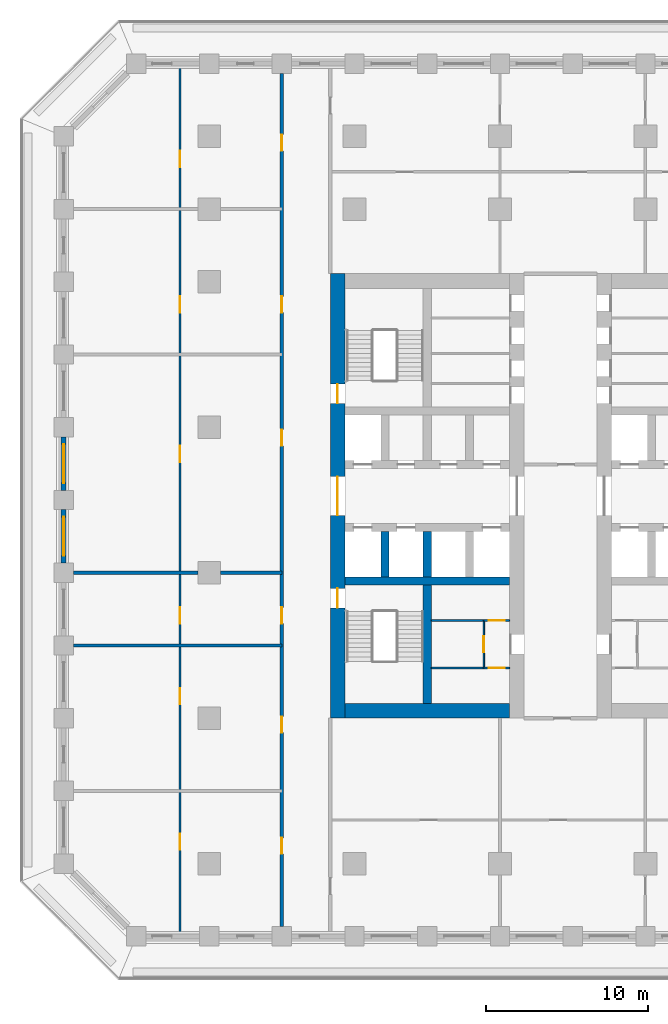
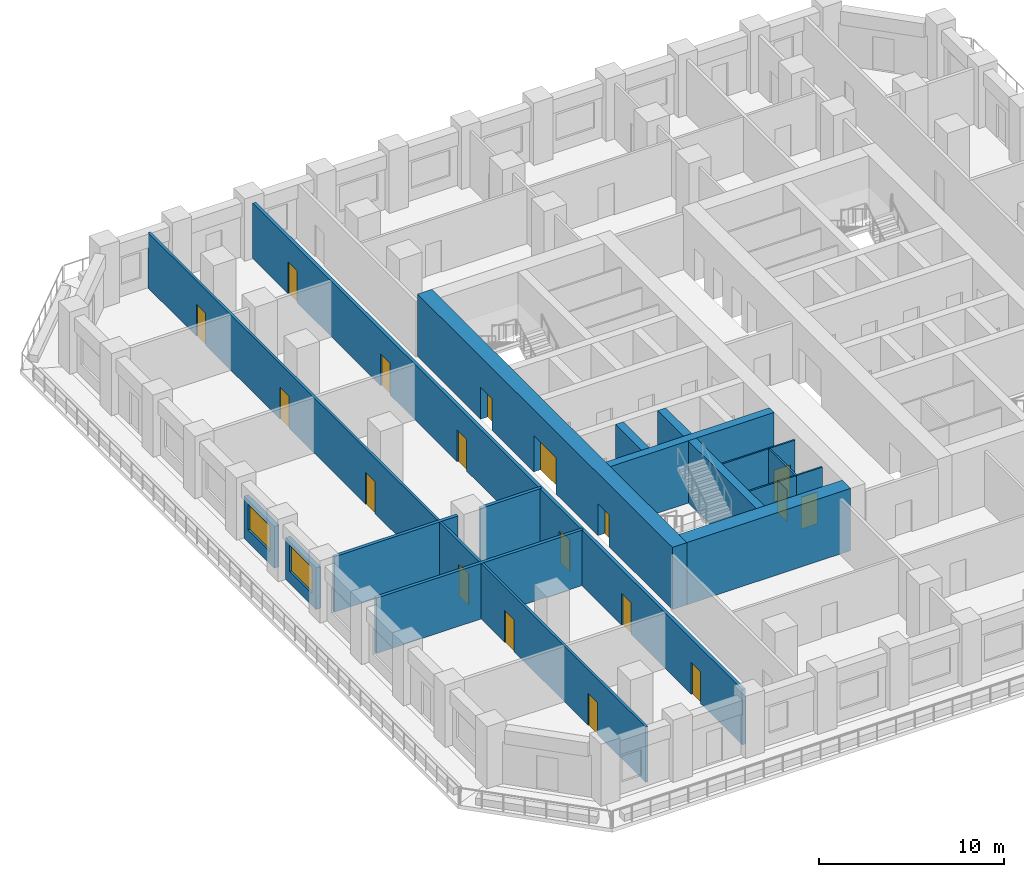
# One storey, part 3 of 16: 18 doors, 18 walls, 2 windows, 20 openings.
"""IFC4 building model written with IfcOpenShell, lengths in metres."""

from ifc_helpers import new_model, si_unit, direction, frame, frame_2d, origin, place, context, subcontext, project, spatial, rectangle, extrude, material, layer, layer_set, type_object, element, fill, save


model = new_model("IFC4")

# Units and contexts
model_context = context("Model", 3, precision=1e-05, world=origin(), true_north=direction((0.0, 1.0)))
body_context = subcontext(model_context, "Body", "Model", "MODEL_VIEW")
ifc_project = project(units=[si_unit("LENGTHUNIT", "METRE"), si_unit("AREAUNIT", "SQUARE_METRE"), si_unit("VOLUMEUNIT", "CUBIC_METRE"), si_unit("PLANEANGLEUNIT", "RADIAN"), si_unit("MASSUNIT", "GRAM", prefix="KILO")], contexts=[model_context])

# Site, building, storey
site_placement = place(None, origin())
site = spatial("IfcSite", under=ifc_project, at=site_placement, CompositionType="ELEMENT")
building_placement = place(site_placement, origin())
building = spatial("IfcBuilding", under=site, at=building_placement, Name="Corbel Stack Research Tower", CompositionType="ELEMENT")
storey_placement = place(building_placement, frame((0.0, 0.0, 120.800048828125)))
storey = spatial("IfcBuildingStorey", under=building, at=storey_placement, Name="L27", CompositionType="ELEMENT", Elevation=120.800048828125)

# Walls
ifc_material_1 = material(Name="Concrete C70/85", Category="concrete")
ifc_layer_1 = layer(ifc_material_1, 0.5)
ifc_layer_set_1 = layer_set([ifc_layer_1], Name="Concrete C70/85")
wall_type_1 = type_object("IfcWallType", Name="CW-500-70", PredefinedType="SHEAR", material=ifc_layer_set_1)
wall_1_placement = place(storey_placement, frame((-9.60009765625, -0.5, 0.0), z_axis=(0.0, 0.0, 1.0), x_axis=(1.0, 0.0, 0.0)))
element("IfcWall", 1, at=wall_1_placement, inside=storey, type_object=wall_type_1, Name="West core wall, south row back L27", PredefinedType="SHEAR", context=body_context, shape_type="SweptSolid", body=[
    extrude(rectangle(XDim=10.2001953125, YDim=0.5, at=frame_2d((5.10009765625, 0.0))), origin(), (0.0, 0.0, 1.0), 4.099853515625),
])
for number, where, z_axis, x_axis, name in (
    (2, (-7.125, -0.25, 0.0), (0.0, 0.0, 1.0), (0.0, 1.0, 0.0), "West core wall, south shaft 1 L27"),
    (3, (-4.5, -0.25, 0.0), (0.0, 0.0, 1.0), (0.0, 1.0, 0.0), "West core wall, south shaft 2 L27"),
):
    element("IfcWall", number, at=place(storey_placement, frame(where, z_axis=z_axis, x_axis=x_axis)), inside=storey, type_object=wall_type_1, Name=name, PredefinedType="SHEAR", context=body_context, shape_type="SweptSolid", body=[
        extrude(rectangle(XDim=2.800048828125, YDim=0.5, at=frame_2d((1.39990234375, 0.0))), origin(), (0.0, 0.0, 1.0), 4.099853515625),
    ])
wall_2_placement = place(storey_placement, frame((-4.5, -8.10009765625, 0.0), z_axis=(0.0, 0.0, 1.0), x_axis=(0.0, 1.0, 0.0)))
element("IfcWall", 4, at=wall_2_placement, inside=storey, type_object=wall_type_1, Name="West core wall, south stair and WC L27", PredefinedType="SHEAR", context=body_context, shape_type="SweptSolid", body=[
    extrude(rectangle(XDim=7.35009765625, YDim=0.5, at=frame_2d((3.675048828125, 0.0))), origin(), (0.0, 0.0, 1.0), 4.099853515625),
])

# Wall, openings, doors
ifc_material_2 = material(Name="Concrete C70/85", Category="concrete")
ifc_layer_2 = layer(ifc_material_2, 0.89990234375)
ifc_layer_set_2 = layer_set([ifc_layer_2], Name="Concrete C70/85")
wall_type_2 = type_object("IfcWallType", Name="CW-900-70", PredefinedType="SHEAR", material=ifc_layer_set_2)
wall_3_placement = place(storey_placement, frame((-10.050048828125, -9.0, 0.0), z_axis=(0.0, 0.0, 1.0), x_axis=(0.0, 1.0, 0.0)))
wall_3 = element("IfcWall", 5, at=wall_3_placement, inside=storey, type_object=wall_type_2, Name="West core wall, west face L27", PredefinedType="SHEAR", context=body_context, shape_type="SweptSolid", body=[
    extrude(rectangle(XDim=27.5, YDim=0.89990234375, at=frame_2d((13.75, 0.0))), origin(), (0.0, 0.0, 1.0), 4.099853515625),
])
opening_1_placement = place(wall_3_placement, frame((12.550048828125, 0.0, 0.0)))
opening_1 = element("IfcOpeningElement", 6, at=opening_1_placement, cuts=wall_3, Name="Opening CD-W-W", PredefinedType="OPENING", context=body_context, shape_type="SweptSolid", body=[
    extrude(rectangle(XDim=2.39990234375, YDim=2.39990234375, at=frame_2d((1.199951171875, 1.199951171875))), frame((0.0, 0.4599609375, 0.0), z_axis=(0.0, -1.0, 0.0), x_axis=(1.0, 0.0, 0.0)), (0.0, 0.0, 1.0), 0.919921875),
])
opening_2_placement = place(wall_3_placement, frame((6.824951171875, 0.0, 0.0)))
opening_2 = element("IfcOpeningElement", 7, at=opening_2_placement, cuts=wall_3, Name="Opening SD-ST-W1", PredefinedType="OPENING", context=body_context, shape_type="SweptSolid", body=[
    extrude(rectangle(XDim=1.199951171875, YDim=2.10009765625, at=frame_2d((0.60009765625, 1.050048828125))), frame((0.0, 0.4599609375, 0.0), z_axis=(0.0, -1.0, 0.0), x_axis=(1.0, 0.0, 0.0)), (0.0, 0.0, 1.0), 0.919921875),
])
opening_3_placement = place(wall_3_placement, frame((19.47509765625, 0.0, 0.0)))
opening_3 = element("IfcOpeningElement", 8, at=opening_3_placement, cuts=wall_3, Name="Opening SD-ST-W2", PredefinedType="OPENING", context=body_context, shape_type="SweptSolid", body=[
    extrude(rectangle(XDim=1.199951171875, YDim=2.10009765625, at=frame_2d((0.60009765625, 1.050048828125))), frame((0.0, 0.4599609375, 0.0), z_axis=(0.0, -1.0, 0.0), x_axis=(1.0, 0.0, 0.0)), (0.0, 0.0, 1.0), 0.919921875),
])
ifc_material_3 = material(Name="Painted steel fire door", Category="steel")
door_type_1 = type_object("IfcDoorType", Name="Lobby door pair 2400 x 2400 FD30S", OperationType="DOUBLE_DOOR_DOUBLE_SWING", PredefinedType="DOOR", material=ifc_material_3)
door_1_placement = place(opening_1_placement, origin())
door_1 = element("IfcDoor", 9, at=door_1_placement, inside=storey, type_object=door_type_1, Name="Lift lobby door W core W", OperationType="DOUBLE_DOOR_DOUBLE_SWING", OverallHeight=2.39990234375, OverallWidth=2.39990234375, PredefinedType="DOOR", context=body_context, shape_type="SweptSolid", body=[
    extrude(rectangle(XDim=2.39990234375, YDim=2.39990234375, at=frame_2d((1.199951171875, 1.199951171875))), frame((0.0, 0.02490234375, 0.0), z_axis=(0.0, -1.0, 0.0), x_axis=(1.0, 0.0, 0.0)), (0.0, 0.0, 1.0), 0.050048828125),
])
fill(opening_1, door_1)
ifc_material_4 = material(Name="Painted steel fire door", Category="steel")
door_type_2 = type_object("IfcDoorType", Name="Stair door 1200 x 2100 FD90 left hand", OperationType="SINGLE_SWING_LEFT", PredefinedType="DOOR", material=ifc_material_4)
door_2_placement = place(opening_2_placement, origin())
door_2 = element("IfcDoor", 10, at=door_2_placement, inside=storey, type_object=door_type_2, Name="Stair door ST-W1", OperationType="SINGLE_SWING_LEFT", OverallHeight=2.10009765625, OverallWidth=1.199951171875, PredefinedType="DOOR", context=body_context, shape_type="SweptSolid", body=[
    extrude(rectangle(XDim=1.199951171875, YDim=2.10009765625, at=frame_2d((0.60009765625, 1.050048828125))), frame((0.0, 0.02490234375, 0.0), z_axis=(0.0, -1.0, 0.0), x_axis=(1.0, 0.0, 0.0)), (0.0, 0.0, 1.0), 0.050048828125),
])
fill(opening_2, door_2)
door_3_placement = place(opening_3_placement, origin())
door_3 = element("IfcDoor", 11, at=door_3_placement, inside=storey, type_object=door_type_2, Name="Stair door ST-W2", OperationType="SINGLE_SWING_LEFT", OverallHeight=2.10009765625, OverallWidth=1.199951171875, PredefinedType="DOOR", context=body_context, shape_type="SweptSolid", body=[
    extrude(rectangle(XDim=1.199951171875, YDim=2.10009765625, at=frame_2d((0.60009765625, 1.050048828125))), frame((0.0, 0.02490234375, 0.0), z_axis=(0.0, -1.0, 0.0), x_axis=(1.0, 0.0, 0.0)), (0.0, 0.0, 1.0), 0.050048828125),
])
fill(opening_3, door_3)

# Wall
wall_4_placement = place(storey_placement, frame((-9.60009765625, -8.550048828125, 0.0), z_axis=(0.0, 0.0, 1.0), x_axis=(1.0, 0.0, 0.0)))
element("IfcWall", 12, at=wall_4_placement, inside=storey, type_object=wall_type_2, Name="West core wall, south end L27", PredefinedType="SHEAR", context=body_context, shape_type="SweptSolid", body=[
    extrude(rectangle(XDim=10.2001953125, YDim=0.89990234375, at=frame_2d((5.10009765625, 0.0))), origin(), (0.0, 0.0, 1.0), 4.099853515625),
])

# Wall, opening, door
ifc_material_5 = material(Name="Gypsum board")
ifc_layer_3 = layer(ifc_material_5, 0.10009765625)
ifc_layer_set_3 = layer_set([ifc_layer_3], Name="Gypsum board")
wall_type_3 = type_object("IfcWallType", Name="Core partition 100", PredefinedType="PARTITIONING", material=ifc_layer_set_3)
wall_5_placement = place(storey_placement, frame((-1.0, -5.89501953125, 0.0), z_axis=(0.0, 0.0, 1.0), x_axis=(1.0, 0.0, 0.0)))
wall_5 = element("IfcWall", 13, at=wall_5_placement, inside=storey, type_object=wall_type_3, Name="Core partition W", PredefinedType="PARTITIONING", context=body_context, shape_type="SweptSolid", body=[
    extrude(rectangle(XDim=1.60009765625, YDim=0.10009765625, at=frame_2d((0.800048828125, 0.0))), origin(), (0.0, 0.0, 1.0), 3.64990234375),
])
opening_4_placement = place(wall_5_placement, frame((0.300048828125, 0.0, 0.0)))
opening_4 = element("IfcOpeningElement", 14, at=opening_4_placement, cuts=wall_5, Name="Opening CR-W36-W2-1000", PredefinedType="OPENING", context=body_context, shape_type="SweptSolid", body=[
    extrude(rectangle(XDim=1.0, YDim=2.10009765625, at=frame_2d((0.5, 1.050048828125))), frame((0.0, 0.06005859375, 0.0), z_axis=(0.0, -1.0, 0.0), x_axis=(1.0, 0.0, 0.0)), (0.0, 0.0, 1.0), 0.1201171875),
])
ifc_material_6 = material(Name="Painted timber door", Category="wood")
door_type_3 = type_object("IfcDoorType", Name="WC door 1000 x 2100 right hand", OperationType="SINGLE_SWING_RIGHT", PredefinedType="DOOR", material=ifc_material_6)
door_4_placement = place(opening_4_placement, origin())
door_4 = element("IfcDoor", 15, at=door_4_placement, inside=storey, type_object=door_type_3, Name="Men's WC door W core", OperationType="SINGLE_SWING_RIGHT", OverallHeight=2.10009765625, OverallWidth=1.0, PredefinedType="DOOR", context=body_context, shape_type="SweptSolid", body=[
    extrude(rectangle(XDim=1.0, YDim=2.10009765625, at=frame_2d((0.5, 1.050048828125))), frame((0.0, 0.02490234375, 0.0), z_axis=(0.0, -1.0, 0.0), x_axis=(1.0, 0.0, 0.0)), (0.0, 0.0, 1.0), 0.050048828125),
])
fill(opening_4, door_4)

wall_6_placement = place(storey_placement, frame((-1.0, -2.955078125, 0.0), z_axis=(0.0, 0.0, 1.0), x_axis=(1.0, 0.0, 0.0)))
wall_6 = element("IfcWall", 16, at=wall_6_placement, inside=storey, type_object=wall_type_3, Name="Core partition W", PredefinedType="PARTITIONING", context=body_context, shape_type="SweptSolid", body=[
    extrude(rectangle(XDim=1.60009765625, YDim=0.10009765625, at=frame_2d((0.800048828125, 0.0))), origin(), (0.0, 0.0, 1.0), 3.64990234375),
])
opening_5_placement = place(wall_6_placement, frame((0.300048828125, 0.0, 0.0)))
opening_5 = element("IfcOpeningElement", 17, at=opening_5_placement, cuts=wall_6, Name="Opening CR-W36-W3-1000", PredefinedType="OPENING", context=body_context, shape_type="SweptSolid", body=[
    extrude(rectangle(XDim=1.0, YDim=2.10009765625, at=frame_2d((0.5, 1.050048828125))), frame((0.0, 0.06005859375, 0.0), z_axis=(0.0, -1.0, 0.0), x_axis=(1.0, 0.0, 0.0)), (0.0, 0.0, 1.0), 0.1201171875),
])
ifc_material_7 = material(Name="Painted timber door", Category="wood")
door_type_4 = type_object("IfcDoorType", Name="WC door 1000 x 2100 left hand", OperationType="SINGLE_SWING_LEFT", PredefinedType="DOOR", material=ifc_material_7)
door_5_placement = place(opening_5_placement, origin())
door_5 = element("IfcDoor", 18, at=door_5_placement, inside=storey, type_object=door_type_4, Name="Women's WC door W core", OperationType="SINGLE_SWING_LEFT", OverallHeight=2.10009765625, OverallWidth=1.0, PredefinedType="DOOR", context=body_context, shape_type="SweptSolid", body=[
    extrude(rectangle(XDim=1.0, YDim=2.10009765625, at=frame_2d((0.5, 1.050048828125))), frame((0.0, 0.02490234375, 0.0), z_axis=(0.0, -1.0, 0.0), x_axis=(1.0, 0.0, 0.0)), (0.0, 0.0, 1.0), 0.050048828125),
])
fill(opening_5, door_5)

wall_7_placement = place(storey_placement, frame((-1.0, -5.89501953125, 0.0), z_axis=(0.0, 0.0, 1.0), x_axis=(0.0, 1.0, 0.0)))
wall_7 = element("IfcWall", 19, at=wall_7_placement, inside=storey, type_object=wall_type_3, Name="Core partition W", PredefinedType="PARTITIONING", context=body_context, shape_type="SweptSolid", body=[
    extrude(rectangle(XDim=2.93994140625, YDim=0.10009765625, at=frame_2d((1.469970703125, 0.0))), origin(), (0.0, 0.0, 1.0), 3.64990234375),
])
opening_6_placement = place(wall_7_placement, frame((0.969970703125, 0.0, 0.0)))
opening_6 = element("IfcOpeningElement", 20, at=opening_6_placement, cuts=wall_7, Name="Opening CR-W36-W4-1000", PredefinedType="OPENING", context=body_context, shape_type="SweptSolid", body=[
    extrude(rectangle(XDim=1.0, YDim=2.10009765625, at=frame_2d((0.5, 1.050048828125))), frame((0.0, 0.06005859375, 0.0), z_axis=(0.0, -1.0, 0.0), x_axis=(1.0, 0.0, 0.0)), (0.0, 0.0, 1.0), 0.1201171875),
])
door_6_placement = place(opening_6_placement, origin())
door_6 = element("IfcDoor", 21, at=door_6_placement, inside=storey, type_object=door_type_3, Name="Accessible WC door W core", OperationType="SINGLE_SWING_RIGHT", OverallHeight=2.10009765625, OverallWidth=1.0, PredefinedType="DOOR", context=body_context, shape_type="SweptSolid", body=[
    extrude(rectangle(XDim=1.0, YDim=2.10009765625, at=frame_2d((0.5, 1.050048828125))), frame((0.0, 0.02490234375, 0.0), z_axis=(0.0, -1.0, 0.0), x_axis=(1.0, 0.0, 0.0)), (0.0, 0.0, 1.0), 0.050048828125),
])
fill(opening_6, door_6)

# Walls
for number, where, z_axis, x_axis, name in (
    (22, (-4.25, -5.89501953125, 0.0), (0.0, 0.0, 1.0), (1.0, 0.0, 0.0), "Core partition W"),
    (23, (-4.25, -2.955078125, 0.0), (0.0, 0.0, 1.0), (1.0, 0.0, 0.0), "Core partition W"),
):
    element("IfcWall", number, at=place(storey_placement, frame(where, z_axis=z_axis, x_axis=x_axis)), inside=storey, type_object=wall_type_3, Name=name, PredefinedType="PARTITIONING", context=body_context, shape_type="SweptSolid", body=[
        extrude(rectangle(XDim=3.25, YDim=0.10009765625, at=frame_2d((1.625, 0.0))), origin(), (0.0, 0.0, 1.0), 3.64990234375),
    ])

# Wall, openings, doors
ifc_material_8 = material(Name="Fire-rated gypsum board partition on steel studs", Category="steel")
ifc_layer_4 = layer(ifc_material_8, 0.199951171875)
ifc_layer_set_4 = layer_set([ifc_layer_4], Name="Fire-rated gypsum board partition on steel studs")
wall_type_4 = type_object("IfcWallType", Name="Fire-rated partition 200 EI 60", PredefinedType="PARTITIONING", material=ifc_layer_set_4)
wall_8_placement = place(storey_placement, frame((-13.5, -21.89990234375, 0.0), z_axis=(0.0, 0.0, 1.0), x_axis=(0.0, 1.0, 0.0)))
wall_8 = element("IfcWall", 24, at=wall_8_placement, inside=storey, type_object=wall_type_4, Name="Partition L27-002", PredefinedType="PARTITIONING", context=body_context, shape_type="SweptSolid", body=[
    extrude(rectangle(XDim=52.7998046875, YDim=0.199951171875, at=frame_2d((26.39990234375, 0.0))), origin(), (0.0, 0.0, 1.0), 3.64990234375),
])
opening_7_placement = place(wall_8_placement, frame((4.5, 0.0, 0.0)))
opening_7 = element("IfcOpeningElement", 25, at=opening_7_placement, cuts=wall_8, Name="Opening B4V0-011", PredefinedType="OPENING", context=body_context, shape_type="SweptSolid", body=[
    extrude(rectangle(XDim=1.0, YDim=2.10009765625, at=frame_2d((0.5, 1.050048828125))), frame((0.0, 0.10986328125, 0.0), z_axis=(0.0, -1.0, 0.0), x_axis=(1.0, 0.0, 0.0)), (0.0, 0.0, 1.0), 0.219970703125),
])
opening_8_placement = place(wall_8_placement, frame((12.0, 0.0, 0.0)))
opening_8 = element("IfcOpeningElement", 26, at=opening_8_placement, cuts=wall_8, Name="Opening B4V0-012", PredefinedType="OPENING", context=body_context, shape_type="SweptSolid", body=[
    extrude(rectangle(XDim=1.0, YDim=2.10009765625, at=frame_2d((0.5, 1.050048828125))), frame((0.0, 0.10986328125, 0.0), z_axis=(0.0, -1.0, 0.0), x_axis=(1.0, 0.0, 0.0)), (0.0, 0.0, 1.0), 0.219970703125),
])
opening_9_placement = place(wall_8_placement, frame((18.75, 0.0, 0.0)))
opening_9 = element("IfcOpeningElement", 27, at=opening_9_placement, cuts=wall_8, Name="Opening B4V0-013", PredefinedType="OPENING", context=body_context, shape_type="SweptSolid", body=[
    extrude(rectangle(XDim=1.0, YDim=2.10009765625, at=frame_2d((0.5, 1.050048828125))), frame((0.0, 0.10986328125, 0.0), z_axis=(0.0, -1.0, 0.0), x_axis=(1.0, 0.0, 0.0)), (0.0, 0.0, 1.0), 0.219970703125),
])
opening_10_placement = place(wall_8_placement, frame((29.75, 0.0, 0.0)))
opening_10 = element("IfcOpeningElement", 28, at=opening_10_placement, cuts=wall_8, Name="Opening B4V0-014", PredefinedType="OPENING", context=body_context, shape_type="SweptSolid", body=[
    extrude(rectangle(XDim=1.0, YDim=2.10009765625, at=frame_2d((0.5, 1.050048828125))), frame((0.0, 0.10986328125, 0.0), z_axis=(0.0, -1.0, 0.0), x_axis=(1.0, 0.0, 0.0)), (0.0, 0.0, 1.0), 0.219970703125),
])
opening_11_placement = place(wall_8_placement, frame((38.0, 0.0, 0.0)))
opening_11 = element("IfcOpeningElement", 29, at=opening_11_placement, cuts=wall_8, Name="Opening B4V0-015", PredefinedType="OPENING", context=body_context, shape_type="SweptSolid", body=[
    extrude(rectangle(XDim=1.0, YDim=2.10009765625, at=frame_2d((0.5, 1.050048828125))), frame((0.0, 0.10986328125, 0.0), z_axis=(0.0, -1.0, 0.0), x_axis=(1.0, 0.0, 0.0)), (0.0, 0.0, 1.0), 0.219970703125),
])
opening_12_placement = place(wall_8_placement, frame((48.0, 0.0, 0.0)))
opening_12 = element("IfcOpeningElement", 30, at=opening_12_placement, cuts=wall_8, Name="Opening B4V0-016", PredefinedType="OPENING", context=body_context, shape_type="SweptSolid", body=[
    extrude(rectangle(XDim=1.0, YDim=2.10009765625, at=frame_2d((0.5, 1.050048828125))), frame((0.0, 0.10986328125, 0.0), z_axis=(0.0, -1.0, 0.0), x_axis=(1.0, 0.0, 0.0)), (0.0, 0.0, 1.0), 0.219970703125),
])
ifc_material_9 = material(Name="Painted steel fire door", Category="steel")
door_type_5 = type_object("IfcDoorType", Name="Fire door FD30S 1000 x 2100", OperationType="NOTDEFINED", PredefinedType="DOOR", material=ifc_material_9)
door_7_placement = place(opening_7_placement, origin())
door_7 = element("IfcDoor", 31, at=door_7_placement, inside=storey, type_object=door_type_5, Name="Door B4V0-011", OperationType="SINGLE_SWING_LEFT", OverallHeight=2.10009765625, OverallWidth=1.0, PredefinedType="DOOR", context=body_context, shape_type="SweptSolid", body=[
    extrude(rectangle(XDim=1.0, YDim=2.10009765625, at=frame_2d((0.5, 1.050048828125))), frame((0.0, 0.02490234375, 0.0), z_axis=(0.0, -1.0, 0.0), x_axis=(1.0, 0.0, 0.0)), (0.0, 0.0, 1.0), 0.050048828125),
])
fill(opening_7, door_7)
door_8_placement = place(opening_8_placement, origin())
door_8 = element("IfcDoor", 32, at=door_8_placement, inside=storey, type_object=door_type_5, Name="Door B4V0-012", OperationType="SINGLE_SWING_LEFT", OverallHeight=2.10009765625, OverallWidth=1.0, PredefinedType="DOOR", context=body_context, shape_type="SweptSolid", body=[
    extrude(rectangle(XDim=1.0, YDim=2.10009765625, at=frame_2d((0.5, 1.050048828125))), frame((0.0, 0.02490234375, 0.0), z_axis=(0.0, -1.0, 0.0), x_axis=(1.0, 0.0, 0.0)), (0.0, 0.0, 1.0), 0.050048828125),
])
fill(opening_8, door_8)
door_9_placement = place(opening_9_placement, origin())
door_9 = element("IfcDoor", 33, at=door_9_placement, inside=storey, type_object=door_type_5, Name="Door B4V0-013", OperationType="SINGLE_SWING_LEFT", OverallHeight=2.10009765625, OverallWidth=1.0, PredefinedType="DOOR", context=body_context, shape_type="SweptSolid", body=[
    extrude(rectangle(XDim=1.0, YDim=2.10009765625, at=frame_2d((0.5, 1.050048828125))), frame((0.0, 0.02490234375, 0.0), z_axis=(0.0, -1.0, 0.0), x_axis=(1.0, 0.0, 0.0)), (0.0, 0.0, 1.0), 0.050048828125),
])
fill(opening_9, door_9)
door_10_placement = place(opening_10_placement, origin())
door_10 = element("IfcDoor", 34, at=door_10_placement, inside=storey, type_object=door_type_5, Name="Door B4V0-014", OperationType="SINGLE_SWING_RIGHT", OverallHeight=2.10009765625, OverallWidth=1.0, PredefinedType="DOOR", context=body_context, shape_type="SweptSolid", body=[
    extrude(rectangle(XDim=1.0, YDim=2.10009765625, at=frame_2d((0.5, 1.050048828125))), frame((0.0, 0.02490234375, 0.0), z_axis=(0.0, -1.0, 0.0), x_axis=(1.0, 0.0, 0.0)), (0.0, 0.0, 1.0), 0.050048828125),
])
fill(opening_10, door_10)
door_11_placement = place(opening_11_placement, origin())
door_11 = element("IfcDoor", 35, at=door_11_placement, inside=storey, type_object=door_type_5, Name="Door B4V0-015", OperationType="SINGLE_SWING_RIGHT", OverallHeight=2.10009765625, OverallWidth=1.0, PredefinedType="DOOR", context=body_context, shape_type="SweptSolid", body=[
    extrude(rectangle(XDim=1.0, YDim=2.10009765625, at=frame_2d((0.5, 1.050048828125))), frame((0.0, 0.02490234375, 0.0), z_axis=(0.0, -1.0, 0.0), x_axis=(1.0, 0.0, 0.0)), (0.0, 0.0, 1.0), 0.050048828125),
])
fill(opening_11, door_11)
door_12_placement = place(opening_12_placement, origin())
door_12 = element("IfcDoor", 36, at=door_12_placement, inside=storey, type_object=door_type_5, Name="Door B4V0-016", OperationType="SINGLE_SWING_RIGHT", OverallHeight=2.10009765625, OverallWidth=1.0, PredefinedType="DOOR", context=body_context, shape_type="SweptSolid", body=[
    extrude(rectangle(XDim=1.0, YDim=2.10009765625, at=frame_2d((0.5, 1.050048828125))), frame((0.0, 0.02490234375, 0.0), z_axis=(0.0, -1.0, 0.0), x_axis=(1.0, 0.0, 0.0)), (0.0, 0.0, 1.0), 0.050048828125),
])
fill(opening_12, door_12)

# Walls
wall_9_placement = place(storey_placement, frame((-26.39990234375, -4.5, 0.0), z_axis=(0.0, 0.0, 1.0), x_axis=(1.0, 0.0, 0.0)))
element("IfcWall", 37, at=wall_9_placement, inside=storey, type_object=wall_type_4, Name="Partition L27-027", PredefinedType="PARTITIONING", context=body_context, shape_type="SweptSolid", body=[
    extrude(rectangle(XDim=12.89990234375, YDim=0.199951171875, at=frame_2d((6.449951171875, 0.0))), origin(), (0.0, 0.0, 1.0), 3.64990234375),
])
wall_10_placement = place(storey_placement, frame((-26.39990234375, 0.0, 0.0), z_axis=(0.0, 0.0, 1.0), x_axis=(1.0, 0.0, 0.0)))
element("IfcWall", 38, at=wall_10_placement, inside=storey, type_object=wall_type_4, Name="Partition L27-029", PredefinedType="PARTITIONING", context=body_context, shape_type="SweptSolid", body=[
    extrude(rectangle(XDim=7.699951171875, YDim=0.199951171875, at=frame_2d((3.85009765625, 0.0))), origin(), (0.0, 0.0, 1.0), 3.64990234375),
])
wall_11_placement = place(storey_placement, frame((-17.300048828125, 0.0, 0.0), z_axis=(0.0, 0.0, 1.0), x_axis=(1.0, 0.0, 0.0)))
element("IfcWall", 39, at=wall_11_placement, inside=storey, type_object=wall_type_4, Name="Partition L27-030", PredefinedType="PARTITIONING", context=body_context, shape_type="SweptSolid", body=[
    extrude(rectangle(XDim=3.800048828125, YDim=0.199951171875, at=frame_2d((1.89990234375, 0.0))), origin(), (0.0, 0.0, 1.0), 3.64990234375),
])

# Wall, openings, doors
ifc_material_10 = material(Name="Gypsum board partition on steel studs", Category="steel")
ifc_layer_5 = layer(ifc_material_10, 0.14990234375)
ifc_layer_set_5 = layer_set([ifc_layer_5], Name="Gypsum board partition on steel studs")
wall_type_5 = type_object("IfcWallType", Name="Partition 150", PredefinedType="PARTITIONING", material=ifc_layer_set_5)
wall_12_placement = place(storey_placement, frame((-19.800048828125, -22.35009765625, 0.0), z_axis=(0.0, 0.0, 1.0), x_axis=(0.0, 1.0, 0.0)))
wall_12 = element("IfcWall", 40, at=wall_12_placement, inside=storey, type_object=wall_type_5, Name="Partition L27-001", PredefinedType="PARTITIONING", context=body_context, shape_type="SweptSolid", body=[
    extrude(rectangle(XDim=53.7001953125, YDim=0.14990234375, at=frame_2d((26.85009765625, 0.0))), origin(), (0.0, 0.0, 1.0), 3.64990234375),
])
opening_13_placement = place(wall_12_placement, frame((5.199951171875, 0.0, 0.0)))
opening_13 = element("IfcOpeningElement", 41, at=opening_13_placement, cuts=wall_12, Name="Opening B4V0-001", PredefinedType="OPENING", context=body_context, shape_type="SweptSolid", body=[
    extrude(rectangle(XDim=1.0, YDim=2.10009765625, at=frame_2d((0.5, 1.050048828125))), frame((0.0, 0.0849609375, 0.0), z_axis=(0.0, -1.0, 0.0), x_axis=(1.0, 0.0, 0.0)), (0.0, 0.0, 1.0), 0.169921875),
])
opening_14_placement = place(wall_12_placement, frame((14.199951171875, 0.0, 0.0)))
opening_14 = element("IfcOpeningElement", 42, at=opening_14_placement, cuts=wall_12, Name="Opening B4V0-002", PredefinedType="OPENING", context=body_context, shape_type="SweptSolid", body=[
    extrude(rectangle(XDim=1.0, YDim=2.10009765625, at=frame_2d((0.5, 1.050048828125))), frame((0.0, 0.0849609375, 0.0), z_axis=(0.0, -1.0, 0.0), x_axis=(1.0, 0.0, 0.0)), (0.0, 0.0, 1.0), 0.169921875),
])
opening_15_placement = place(wall_12_placement, frame((19.199951171875, 0.0, 0.0)))
opening_15 = element("IfcOpeningElement", 43, at=opening_15_placement, cuts=wall_12, Name="Opening B4V0-003", PredefinedType="OPENING", context=body_context, shape_type="SweptSolid", body=[
    extrude(rectangle(XDim=1.0, YDim=2.10009765625, at=frame_2d((0.5, 1.050048828125))), frame((0.0, 0.0849609375, 0.0), z_axis=(0.0, -1.0, 0.0), x_axis=(1.0, 0.0, 0.0)), (0.0, 0.0, 1.0), 0.169921875),
])
opening_16_placement = place(wall_12_placement, frame((29.199951171875, 0.0, 0.0)))
opening_16 = element("IfcOpeningElement", 44, at=opening_16_placement, cuts=wall_12, Name="Opening B4V0-004", PredefinedType="OPENING", context=body_context, shape_type="SweptSolid", body=[
    extrude(rectangle(XDim=1.0, YDim=2.10009765625, at=frame_2d((0.5, 1.050048828125))), frame((0.0, 0.0849609375, 0.0), z_axis=(0.0, -1.0, 0.0), x_axis=(1.0, 0.0, 0.0)), (0.0, 0.0, 1.0), 0.169921875),
])
opening_17_placement = place(wall_12_placement, frame((38.449951171875, 0.0, 0.0)))
opening_17 = element("IfcOpeningElement", 45, at=opening_17_placement, cuts=wall_12, Name="Opening B4V0-005", PredefinedType="OPENING", context=body_context, shape_type="SweptSolid", body=[
    extrude(rectangle(XDim=1.0, YDim=2.10009765625, at=frame_2d((0.5, 1.050048828125))), frame((0.0, 0.0849609375, 0.0), z_axis=(0.0, -1.0, 0.0), x_axis=(1.0, 0.0, 0.0)), (0.0, 0.0, 1.0), 0.169921875),
])
opening_18_placement = place(wall_12_placement, frame((47.449951171875, 0.0, 0.0)))
opening_18 = element("IfcOpeningElement", 46, at=opening_18_placement, cuts=wall_12, Name="Opening B4V0-006", PredefinedType="OPENING", context=body_context, shape_type="SweptSolid", body=[
    extrude(rectangle(XDim=1.0, YDim=2.10009765625, at=frame_2d((0.5, 1.050048828125))), frame((0.0, 0.0849609375, 0.0), z_axis=(0.0, -1.0, 0.0), x_axis=(1.0, 0.0, 0.0)), (0.0, 0.0, 1.0), 0.169921875),
])
ifc_material_11 = material(Name="Painted timber door", Category="wood")
door_type_6 = type_object("IfcDoorType", Name="Single door 1000 x 2100", OperationType="NOTDEFINED", PredefinedType="DOOR", material=ifc_material_11)
door_13_placement = place(opening_13_placement, origin())
door_13 = element("IfcDoor", 47, at=door_13_placement, inside=storey, type_object=door_type_6, Name="Door B4V0-001", OperationType="SINGLE_SWING_LEFT", OverallHeight=2.10009765625, OverallWidth=1.0, PredefinedType="DOOR", context=body_context, shape_type="SweptSolid", body=[
    extrude(rectangle(XDim=1.0, YDim=2.10009765625, at=frame_2d((0.5, 1.050048828125))), frame((0.0, 0.02490234375, 0.0), z_axis=(0.0, -1.0, 0.0), x_axis=(1.0, 0.0, 0.0)), (0.0, 0.0, 1.0), 0.050048828125),
])
fill(opening_13, door_13)
door_14_placement = place(opening_14_placement, origin())
door_14 = element("IfcDoor", 48, at=door_14_placement, inside=storey, type_object=door_type_6, Name="Door B4V0-002", OperationType="SINGLE_SWING_LEFT", OverallHeight=2.10009765625, OverallWidth=1.0, PredefinedType="DOOR", context=body_context, shape_type="SweptSolid", body=[
    extrude(rectangle(XDim=1.0, YDim=2.10009765625, at=frame_2d((0.5, 1.050048828125))), frame((0.0, 0.02490234375, 0.0), z_axis=(0.0, -1.0, 0.0), x_axis=(1.0, 0.0, 0.0)), (0.0, 0.0, 1.0), 0.050048828125),
])
fill(opening_14, door_14)
door_15_placement = place(opening_15_placement, origin())
door_15 = element("IfcDoor", 49, at=door_15_placement, inside=storey, type_object=door_type_6, Name="Door B4V0-003", OperationType="SINGLE_SWING_LEFT", OverallHeight=2.10009765625, OverallWidth=1.0, PredefinedType="DOOR", context=body_context, shape_type="SweptSolid", body=[
    extrude(rectangle(XDim=1.0, YDim=2.10009765625, at=frame_2d((0.5, 1.050048828125))), frame((0.0, 0.02490234375, 0.0), z_axis=(0.0, -1.0, 0.0), x_axis=(1.0, 0.0, 0.0)), (0.0, 0.0, 1.0), 0.050048828125),
])
fill(opening_15, door_15)
door_16_placement = place(opening_16_placement, origin())
door_16 = element("IfcDoor", 50, at=door_16_placement, inside=storey, type_object=door_type_6, Name="Door B4V0-004", OperationType="SINGLE_SWING_RIGHT", OverallHeight=2.10009765625, OverallWidth=1.0, PredefinedType="DOOR", context=body_context, shape_type="SweptSolid", body=[
    extrude(rectangle(XDim=1.0, YDim=2.10009765625, at=frame_2d((0.5, 1.050048828125))), frame((0.0, 0.02490234375, 0.0), z_axis=(0.0, -1.0, 0.0), x_axis=(1.0, 0.0, 0.0)), (0.0, 0.0, 1.0), 0.050048828125),
])
fill(opening_16, door_16)
door_17_placement = place(opening_17_placement, origin())
door_17 = element("IfcDoor", 51, at=door_17_placement, inside=storey, type_object=door_type_6, Name="Door B4V0-005", OperationType="SINGLE_SWING_RIGHT", OverallHeight=2.10009765625, OverallWidth=1.0, PredefinedType="DOOR", context=body_context, shape_type="SweptSolid", body=[
    extrude(rectangle(XDim=1.0, YDim=2.10009765625, at=frame_2d((0.5, 1.050048828125))), frame((0.0, 0.02490234375, 0.0), z_axis=(0.0, -1.0, 0.0), x_axis=(1.0, 0.0, 0.0)), (0.0, 0.0, 1.0), 0.050048828125),
])
fill(opening_17, door_17)
door_18_placement = place(opening_18_placement, origin())
door_18 = element("IfcDoor", 52, at=door_18_placement, inside=storey, type_object=door_type_6, Name="Door B4V0-006", OperationType="SINGLE_SWING_RIGHT", OverallHeight=2.10009765625, OverallWidth=1.0, PredefinedType="DOOR", context=body_context, shape_type="SweptSolid", body=[
    extrude(rectangle(XDim=1.0, YDim=2.10009765625, at=frame_2d((0.5, 1.050048828125))), frame((0.0, 0.02490234375, 0.0), z_axis=(0.0, -1.0, 0.0), x_axis=(1.0, 0.0, 0.0)), (0.0, 0.0, 1.0), 0.050048828125),
])
fill(opening_18, door_18)

# Wall, opening, window
ifc_material_12 = material(Name="Concrete C45/55", Category="concrete")
ifc_layer_6 = layer(ifc_material_12, 0.300048828125)
ifc_layer_set_6 = layer_set([ifc_layer_6], Name="Concrete C45/55")
wall_type_6 = type_object("IfcWallType", Name="Terracotta-faced concrete wall 300", PredefinedType="SOLIDWALL", material=ifc_layer_set_6)
wall_13_placement = place(storey_placement, frame((-27.0, 5.10009765625, 0.0), z_axis=(0.0, 0.0, 1.0), x_axis=(0.0, 1.0, 0.0)))
wall_13 = element("IfcWall", 53, at=wall_13_placement, inside=storey, type_object=wall_type_6, Name="Facade wall L27 W05", PredefinedType="SOLIDWALL", context=body_context, shape_type="SweptSolid", body=[
    extrude(rectangle(XDim=3.2998046875, YDim=0.300048828125, at=frame_2d((1.64990234375, 0.0))), origin(), (0.0, 0.0, 1.0), 2.75),
])
opening_19_placement = place(wall_13_placement, frame((0.449951171875, 0.0, 0.800048828125)))
opening_19 = element("IfcOpeningElement", 54, at=opening_19_placement, cuts=wall_13, Name="Opening W1", PredefinedType="OPENING", context=body_context, shape_type="SweptSolid", body=[
    extrude(rectangle(XDim=2.39990234375, YDim=1.699951171875, at=frame_2d((1.199951171875, 0.85009765625))), frame((0.0, 0.159912109375, 0.0), z_axis=(0.0, -1.0, 0.0), x_axis=(1.0, 0.0, 0.0)), (0.0, 0.0, 1.0), 0.320068359375),
])
ifc_material_13 = material(Name="Aluminium frame, clear double glazing", Category="aluminium")
window_type = type_object("IfcWindowType", Name="Window W1 2400 x 1700", PartitioningType="SINGLE_PANEL", PredefinedType="WINDOW", material=ifc_material_13)
window_1_placement = place(opening_19_placement, origin())
window_1 = element("IfcWindow", 55, at=window_1_placement, inside=storey, type_object=window_type, Name="Window W1 L27 W05", OverallHeight=1.699951171875, OverallWidth=2.39990234375, PartitioningType="SINGLE_PANEL", PredefinedType="WINDOW", context=body_context, shape_type="SweptSolid", body=[
    extrude(rectangle(XDim=2.39990234375, YDim=1.699951171875, at=frame_2d((1.199951171875, 0.85009765625))), frame((0.0, 0.030029296875, 0.0), z_axis=(0.0, -1.0, 0.0), x_axis=(1.0, 0.0, 0.0)), (0.0, 0.0, 1.0), 0.06005859375),
])
fill(opening_19, window_1)

wall_14_placement = place(storey_placement, frame((-27.0, 0.60009765625, 0.0), z_axis=(0.0, 0.0, 1.0), x_axis=(0.0, 1.0, 0.0)))
wall_14 = element("IfcWall", 56, at=wall_14_placement, inside=storey, type_object=wall_type_6, Name="Facade wall L27 W06", PredefinedType="SOLIDWALL", context=body_context, shape_type="SweptSolid", body=[
    extrude(rectangle(XDim=3.2998046875, YDim=0.300048828125, at=frame_2d((1.64990234375, 0.0))), origin(), (0.0, 0.0, 1.0), 2.75),
])
opening_20_placement = place(wall_14_placement, frame((0.449951171875, 0.0, 0.800048828125)))
opening_20 = element("IfcOpeningElement", 57, at=opening_20_placement, cuts=wall_14, Name="Opening W1", PredefinedType="OPENING", context=body_context, shape_type="SweptSolid", body=[
    extrude(rectangle(XDim=2.39990234375, YDim=1.699951171875, at=frame_2d((1.199951171875, 0.85009765625))), frame((0.0, 0.159912109375, 0.0), z_axis=(0.0, -1.0, 0.0), x_axis=(1.0, 0.0, 0.0)), (0.0, 0.0, 1.0), 0.320068359375),
])
window_2_placement = place(opening_20_placement, origin())
window_2 = element("IfcWindow", 58, at=window_2_placement, inside=storey, type_object=window_type, Name="Window W1 L27 W06", OverallHeight=1.699951171875, OverallWidth=2.39990234375, PartitioningType="SINGLE_PANEL", PredefinedType="WINDOW", context=body_context, shape_type="SweptSolid", body=[
    extrude(rectangle(XDim=2.39990234375, YDim=1.699951171875, at=frame_2d((1.199951171875, 0.85009765625))), frame((0.0, 0.030029296875, 0.0), z_axis=(0.0, -1.0, 0.0), x_axis=(1.0, 0.0, 0.0)), (0.0, 0.0, 1.0), 0.06005859375),
])
fill(opening_20, window_2)

save(model, "model.ifc")
